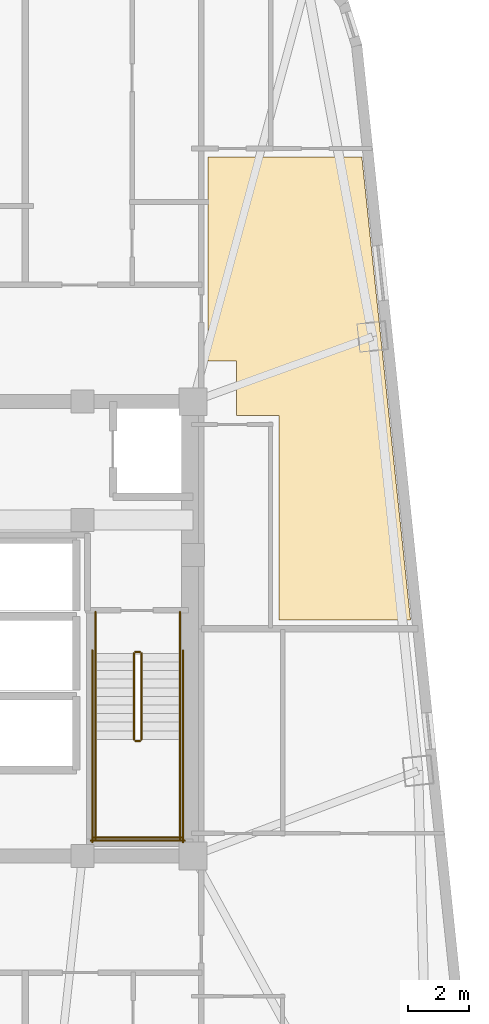
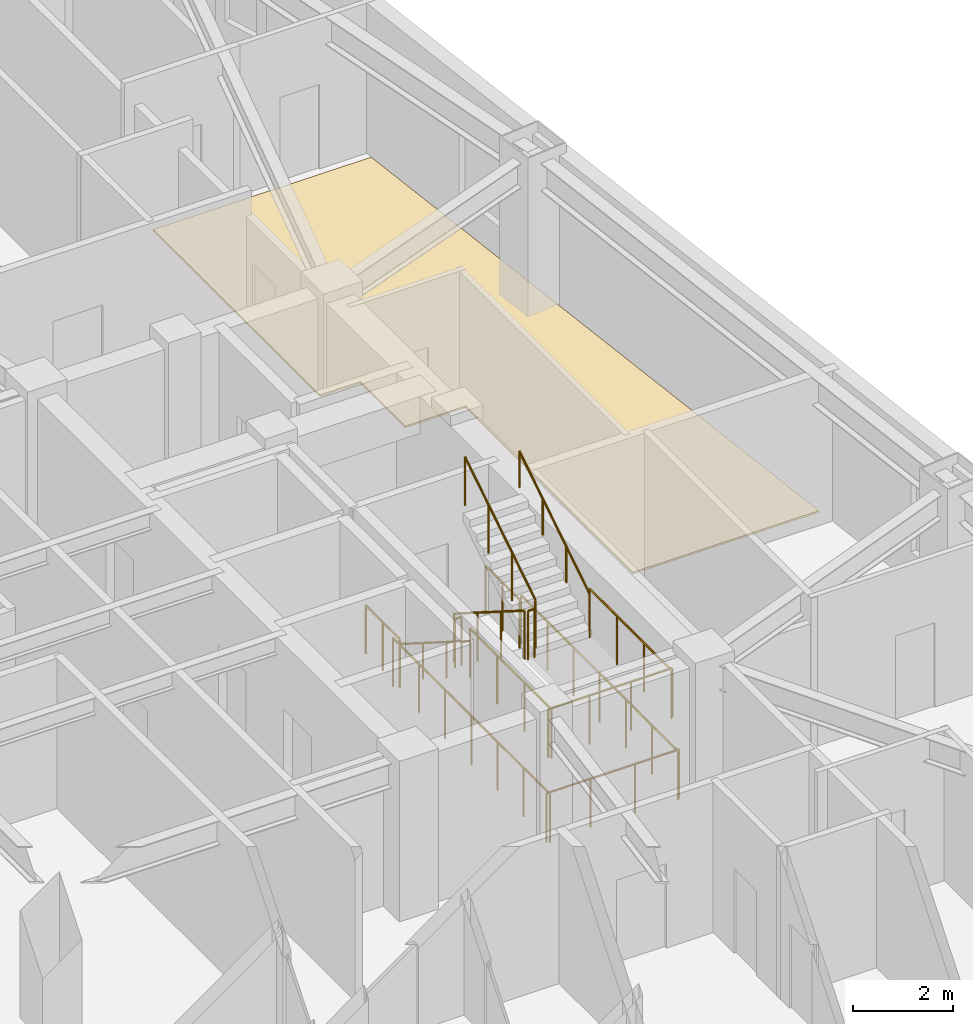
# One storey, part 11 of 11: 14 railings, 1 covering.
"""IFC4 building model written with IfcOpenShell, lengths in metres."""

from ifc_helpers import new_model, si_unit, direction, frame, origin, origin_2d, place, context, subcontext, project, spatial, polyline, circle, outline, extrude, material, layer, layer_set, type_object, element, save


model = new_model("IFC4")

# Units and contexts
model_context = context("Model", 3, precision=1e-05, world=origin(), true_north=direction((0.0, 1.0)))
body_context = subcontext(model_context, "Body", "Model", "MODEL_VIEW")
ifc_project = project(units=[si_unit("LENGTHUNIT", "METRE"), si_unit("AREAUNIT", "SQUARE_METRE"), si_unit("VOLUMEUNIT", "CUBIC_METRE"), si_unit("PLANEANGLEUNIT", "RADIAN"), si_unit("MASSUNIT", "GRAM", prefix="KILO")], contexts=[model_context])

# Site, building, storey
site_placement = place(None, origin())
site = spatial("IfcSite", under=ifc_project, at=site_placement, CompositionType="ELEMENT")
building_placement = place(site_placement, origin())
building = spatial("IfcBuilding", under=site, at=building_placement, Name="Voryun Gate Residences", CompositionType="ELEMENT")
storey_placement = place(building_placement, frame((0.0, 0.0, 183.300048828125)))
storey = spatial("IfcBuildingStorey", under=building, at=storey_placement, Name="L45", CompositionType="ELEMENT", Elevation=183.300048828125)

# Covering
ifc_material_1 = material(Name="Architectural oak flooring")
ifc_layer = layer(ifc_material_1, 0.044921875, Name="COV_FLOOR_ONDOL_OAK")
ifc_layer_set = layer_set([ifc_layer], Name="Architectural oak flooring")
covering_type = type_object("IfcCoveringType", Name="COV_FLOOR_ONDOL_OAK", PredefinedType="FLOORING", material=ifc_layer_set)
covering_placement = place(storey_placement, origin())
element("IfcCovering", 1, at=covering_placement, inside=storey, type_object=covering_type, Name="Ondol oak floor FLR-L45-01", PredefinedType="FLOORING", context=body_context, shape_type="SweptSolid", body=[
    extrude(outline(polyline([(20.6201171875, 6.93994140625), (20.6201171875, 8.719970703125), (19.68994140625, 8.719970703125), (19.68994140625, 15.362060546875), (24.701171875, 15.362060546875), (26.286376953125, 0.280029296875), (22.009033203125, 0.280029296875), (22.009033203125, 6.93994140625), (20.6201171875, 6.93994140625)])), origin(), (0.0, 0.0, 1.0), 0.044921875),
])

# Railings
ifc_material_2 = material(Name="Painted steel", Category="steel")
railing_type_1 = type_object("IfcRailingType", Name="RAIL_STAIR_GUARD_1200", PredefinedType="GUARDRAIL", material=ifc_material_2)
railing_1_placement = place(storey_placement, frame((17.27490234375, -0.800048828125, 0.17724609375)))
element("IfcRailing", 2, at=railing_1_placement, inside=storey, type_object=railing_type_1, Name="L45 ST-E1 stair guard 1", PredefinedType="GUARDRAIL", context=body_context, shape_type="SweptSolid", body=[
    extrude(circle(Radius=0.02392578125, at=origin_2d()), frame((0.0, 0.0, 1.17578125), z_axis=(0.0, -0.844908973607, 0.534910110503), x_axis=(1.0, 0.0, 0.0)), (0.0, 0.0, 1.0), 3.31396484375),
    extrude(circle(Radius=0.02099609375, at=origin_2d()), origin(), (0.0, 0.0, 1.0), 1.15185546875),
    extrude(circle(Radius=0.02099609375, at=origin_2d()), frame((0.0, -0.933349609375, 0.5908203125)), (0.0, 0.0, 1.0), 1.15185546875),
    extrude(circle(Radius=0.02099609375, at=origin_2d()), frame((0.0, -1.86669921875, 1.181884765625)), (0.0, 0.0, 1.0), 1.15185546875),
    extrude(circle(Radius=0.02099609375, at=origin_2d()), frame((0.0, -2.800048828125, 1.772705078125)), (0.0, 0.0, 1.0), 1.15185546875),
])
railing_2_placement = place(storey_placement, frame((17.324951171875, -3.64990234375, 1.949951171875)))
element("IfcRailing", 3, at=railing_2_placement, inside=storey, type_object=railing_type_1, Name="L45 ST-E1 stair guard 2", PredefinedType="GUARDRAIL", context=body_context, shape_type="SweptSolid", body=[
    extrude(circle(Radius=0.02392578125, at=origin_2d()), frame((0.0, 0.0, 1.17578125), z_axis=(1.0, 0.0, 0.0), x_axis=(0.0, 1.0, 0.0)), (0.0, 0.0, 1.0), 0.150146484375),
    extrude(circle(Radius=0.02099609375, at=origin_2d()), origin(), (0.0, 0.0, 1.0), 1.15185546875),
    extrude(circle(Radius=0.02099609375, at=origin_2d()), frame((0.150146484375, 0.0, 0.0)), (0.0, 0.0, 1.0), 1.15185546875),
])
for number, where, name in (
    (4, (16.02490234375, -3.60009765625, 1.949951171875), "L45 ST-E1 stair guard 3"),
    (5, (18.77490234375, -3.60009765625, 1.949951171875), "L45 ST-E1 stair guard 4"),
):
    element("IfcRailing", number, at=place(storey_placement, frame(where)), inside=storey, type_object=railing_type_1, Name=name, PredefinedType="GUARDRAIL", context=body_context, shape_type="SweptSolid", body=[
        extrude(circle(Radius=0.02392578125, at=origin_2d()), frame((0.0, 0.0, 1.17578125), z_axis=(0.0, -1.0, 0.0), x_axis=(1.0, 0.0, 0.0)), (0.0, 0.0, 1.0), 3.25),
        extrude(circle(Radius=0.02099609375, at=origin_2d()), origin(), (0.0, 0.0, 1.0), 1.15185546875),
        extrude(circle(Radius=0.02099609375, at=origin_2d()), frame((0.0, -1.083251953125, 0.0)), (0.0, 0.0, 1.0), 1.15185546875),
        extrude(circle(Radius=0.02099609375, at=origin_2d()), frame((0.0, -2.166748046875, 0.0)), (0.0, 0.0, 1.0), 1.15185546875),
        extrude(circle(Radius=0.02099609375, at=origin_2d()), frame((0.0, -3.25, 0.0)), (0.0, 0.0, 1.0), 1.15185546875),
    ])
railing_3_placement = place(storey_placement, frame((15.97509765625, -6.800048828125, 1.949951171875)))
element("IfcRailing", 6, at=railing_3_placement, inside=storey, type_object=railing_type_1, Name="L45 ST-E1 stair guard 5", PredefinedType="GUARDRAIL", context=body_context, shape_type="SweptSolid", body=[
    extrude(circle(Radius=0.02392578125, at=origin_2d()), frame((0.0, 0.0, 1.17578125), z_axis=(1.0, 0.0, 0.0), x_axis=(0.0, 1.0, 0.0)), (0.0, 0.0, 1.0), 2.849853515625),
    extrude(circle(Radius=0.02099609375, at=origin_2d()), origin(), (0.0, 0.0, 1.0), 1.15185546875),
    extrude(circle(Radius=0.02099609375, at=origin_2d()), frame((0.949951171875, 0.0, 0.0)), (0.0, 0.0, 1.0), 1.15185546875),
    extrude(circle(Radius=0.02099609375, at=origin_2d()), frame((1.89990234375, 0.0, 0.0)), (0.0, 0.0, 1.0), 1.15185546875),
    extrude(circle(Radius=0.02099609375, at=origin_2d()), frame((2.849853515625, 0.0, 0.0)), (0.0, 0.0, 1.0), 1.15185546875),
])
railing_4_placement = place(storey_placement, frame((17.52490234375, -3.60009765625, 2.127197265625)))
element("IfcRailing", 7, at=railing_4_placement, inside=storey, type_object=railing_type_1, Name="L45 ST-E1 stair guard 6", PredefinedType="GUARDRAIL", context=body_context, shape_type="SweptSolid", body=[
    extrude(circle(Radius=0.02392578125, at=origin_2d()), frame((0.0, 0.0, 1.17578125), z_axis=(0.0, 0.844908973607, 0.534910110503), x_axis=(-1.0, 0.0, 0.0)), (0.0, 0.0, 1.0), 3.31396484375),
    extrude(circle(Radius=0.02099609375, at=origin_2d()), origin(), (0.0, 0.0, 1.0), 1.15185546875),
    extrude(circle(Radius=0.02099609375, at=origin_2d()), frame((0.0, 0.933349609375, 0.5908203125)), (0.0, 0.0, 1.0), 1.15185546875),
    extrude(circle(Radius=0.02099609375, at=origin_2d()), frame((0.0, 1.86669921875, 1.181884765625)), (0.0, 0.0, 1.0), 1.15185546875),
    extrude(circle(Radius=0.02099609375, at=origin_2d()), frame((0.0, 2.800048828125, 1.772705078125)), (0.0, 0.0, 1.0), 1.15185546875),
])
railing_5_placement = place(storey_placement, frame((17.324951171875, -0.75, 0.0)))
element("IfcRailing", 8, at=railing_5_placement, inside=storey, type_object=railing_type_1, Name="L45 ST-E1 stair guard 7", PredefinedType="GUARDRAIL", context=body_context, shape_type="SweptSolid", body=[
    extrude(circle(Radius=0.02392578125, at=origin_2d()), frame((0.0, 0.0, 1.17578125), z_axis=(1.0, 0.0, 0.0), x_axis=(0.0, 1.0, 0.0)), (0.0, 0.0, 1.0), 0.150146484375),
    extrude(circle(Radius=0.02099609375, at=origin_2d()), origin(), (0.0, 0.0, 1.0), 1.15185546875),
    extrude(circle(Radius=0.02099609375, at=origin_2d()), frame((0.150146484375, 0.0, 0.0)), (0.0, 0.0, 1.0), 1.15185546875),
])
for number, where, name in (
    (9, (16.02490234375, 0.550048828125, 0.0), "L45 ST-E1 stair guard 8"),
    (10, (18.77490234375, 0.550048828125, 0.0), "L45 ST-E1 stair guard 9"),
):
    element("IfcRailing", number, at=place(storey_placement, frame(where)), inside=storey, type_object=railing_type_1, Name=name, PredefinedType="GUARDRAIL", context=body_context, shape_type="SweptSolid", body=[
        extrude(circle(Radius=0.02392578125, at=origin_2d()), frame((0.0, 0.0, 1.17578125), z_axis=(0.0, -1.0, 0.0), x_axis=(1.0, 0.0, 0.0)), (0.0, 0.0, 1.0), 1.35009765625),
        extrude(circle(Radius=0.02099609375, at=origin_2d()), origin(), (0.0, 0.0, 1.0), 1.15185546875),
        extrude(circle(Radius=0.02099609375, at=origin_2d()), frame((0.0, -0.675048828125, 0.0)), (0.0, 0.0, 1.0), 1.15185546875),
        extrude(circle(Radius=0.02099609375, at=origin_2d()), frame((0.0, -1.35009765625, 0.0)), (0.0, 0.0, 1.0), 1.15185546875),
    ])
for number, where, name in (
    (11, (15.925048828125, -0.699951171875, 0.0), "L45 ST-E1 stair guard 10"),
    (12, (18.875, -0.699951171875, 0.0), "L45 ST-E1 stair guard 11"),
):
    element("IfcRailing", number, at=place(storey_placement, frame(where)), inside=storey, type_object=railing_type_1, Name=name, PredefinedType="GUARDRAIL", context=body_context, shape_type="SweptSolid", body=[
        extrude(circle(Radius=0.02392578125, at=origin_2d()), frame((0.0, 0.0, 1.17578125), z_axis=(0.0, -1.0, 0.0), x_axis=(1.0, 0.0, 0.0)), (0.0, 0.0, 1.0), 6.25),
        extrude(circle(Radius=0.02099609375, at=origin_2d()), origin(), (0.0, 0.0, 1.0), 1.15185546875),
        extrude(circle(Radius=0.02099609375, at=origin_2d()), frame((0.0, -1.041748046875, 0.0)), (0.0, 0.0, 1.0), 1.15185546875),
        extrude(circle(Radius=0.02099609375, at=origin_2d()), frame((0.0, -2.083251953125, 0.0)), (0.0, 0.0, 1.0), 1.15185546875),
        extrude(circle(Radius=0.02099609375, at=origin_2d()), frame((0.0, -3.125, 0.0)), (0.0, 0.0, 1.0), 1.15185546875),
        extrude(circle(Radius=0.02099609375, at=origin_2d()), frame((0.0, -4.166748046875, 0.0)), (0.0, 0.0, 1.0), 1.15185546875),
        extrude(circle(Radius=0.02099609375, at=origin_2d()), frame((0.0, -5.208251953125, 0.0)), (0.0, 0.0, 1.0), 1.15185546875),
        extrude(circle(Radius=0.02099609375, at=origin_2d()), frame((0.0, -6.25, 0.0)), (0.0, 0.0, 1.0), 1.15185546875),
    ])
railing_6_placement = place(storey_placement, frame((15.875, -6.89990234375, 0.0)))
element("IfcRailing", 13, at=railing_6_placement, inside=storey, type_object=railing_type_1, Name="L45 ST-E1 stair guard 12", PredefinedType="GUARDRAIL", context=body_context, shape_type="SweptSolid", body=[
    extrude(circle(Radius=0.02392578125, at=origin_2d()), frame((0.0, 0.0, 1.17578125), z_axis=(1.0, 0.0, 0.0), x_axis=(0.0, 1.0, 0.0)), (0.0, 0.0, 1.0), 3.050048828125),
    extrude(circle(Radius=0.02099609375, at=origin_2d()), origin(), (0.0, 0.0, 1.0), 1.15185546875),
    extrude(circle(Radius=0.02099609375, at=origin_2d()), frame((1.0166015625, 0.0, 0.0)), (0.0, 0.0, 1.0), 1.15185546875),
    extrude(circle(Radius=0.02099609375, at=origin_2d()), frame((2.033447265625, 0.0, 0.0)), (0.0, 0.0, 1.0), 1.15185546875),
    extrude(circle(Radius=0.02099609375, at=origin_2d()), frame((3.050048828125, 0.0, 0.0)), (0.0, 0.0, 1.0), 1.15185546875),
])
ifc_material_3 = material(Name="Painted steel", Category="steel")
railing_type_2 = type_object("IfcRailingType", Name="RAIL_STAIR_HANDRAIL_900", PredefinedType="HANDRAIL", material=ifc_material_3)
railing_7_placement = place(storey_placement, frame((16.02490234375, -0.800048828125, 0.17724609375)))
element("IfcRailing", 14, at=railing_7_placement, inside=storey, type_object=railing_type_2, Name="L45 ST-E1 stair handrail 1", PredefinedType="HANDRAIL", context=body_context, shape_type="SweptSolid", body=[
    extrude(circle(Radius=0.02392578125, at=origin_2d()), frame((0.0, 0.0, 0.8759765625), z_axis=(0.0, -0.844908973607, 0.534910110503), x_axis=(1.0, 0.0, 0.0)), (0.0, 0.0, 1.0), 3.31396484375),
    extrude(circle(Radius=0.02099609375, at=origin_2d()), origin(), (0.0, 0.0, 1.0), 0.851806640625),
    extrude(circle(Radius=0.02099609375, at=origin_2d()), frame((0.0, -0.933349609375, 0.5908203125)), (0.0, 0.0, 1.0), 0.851806640625),
    extrude(circle(Radius=0.02099609375, at=origin_2d()), frame((0.0, -1.86669921875, 1.181884765625)), (0.0, 0.0, 1.0), 0.851806640625),
    extrude(circle(Radius=0.02099609375, at=origin_2d()), frame((0.0, -2.800048828125, 1.772705078125)), (0.0, 0.0, 1.0), 0.851806640625),
])
railing_8_placement = place(storey_placement, frame((18.77490234375, -3.60009765625, 2.127197265625)))
element("IfcRailing", 15, at=railing_8_placement, inside=storey, type_object=railing_type_2, Name="L45 ST-E1 stair handrail 2", PredefinedType="HANDRAIL", context=body_context, shape_type="SweptSolid", body=[
    extrude(circle(Radius=0.02392578125, at=origin_2d()), frame((0.0, 0.0, 0.8759765625), z_axis=(0.0, 0.844908973607, 0.534910110503), x_axis=(-1.0, 0.0, 0.0)), (0.0, 0.0, 1.0), 3.31396484375),
    extrude(circle(Radius=0.02099609375, at=origin_2d()), origin(), (0.0, 0.0, 1.0), 0.851806640625),
    extrude(circle(Radius=0.02099609375, at=origin_2d()), frame((0.0, 0.933349609375, 0.5908203125)), (0.0, 0.0, 1.0), 0.851806640625),
    extrude(circle(Radius=0.02099609375, at=origin_2d()), frame((0.0, 1.86669921875, 1.181884765625)), (0.0, 0.0, 1.0), 0.851806640625),
    extrude(circle(Radius=0.02099609375, at=origin_2d()), frame((0.0, 2.800048828125, 1.772705078125)), (0.0, 0.0, 1.0), 0.851806640625),
])

save(model, "model.ifc")
